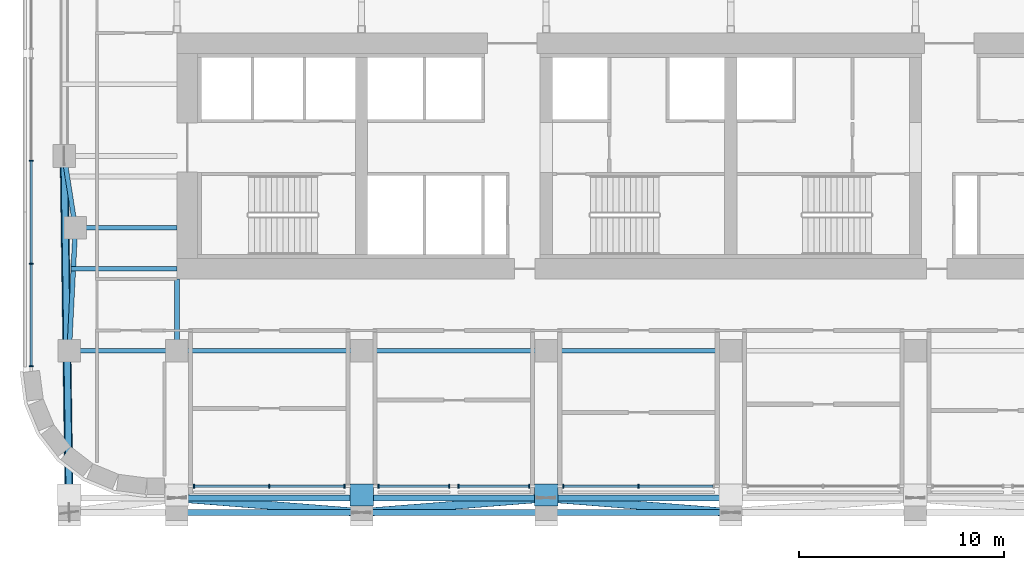
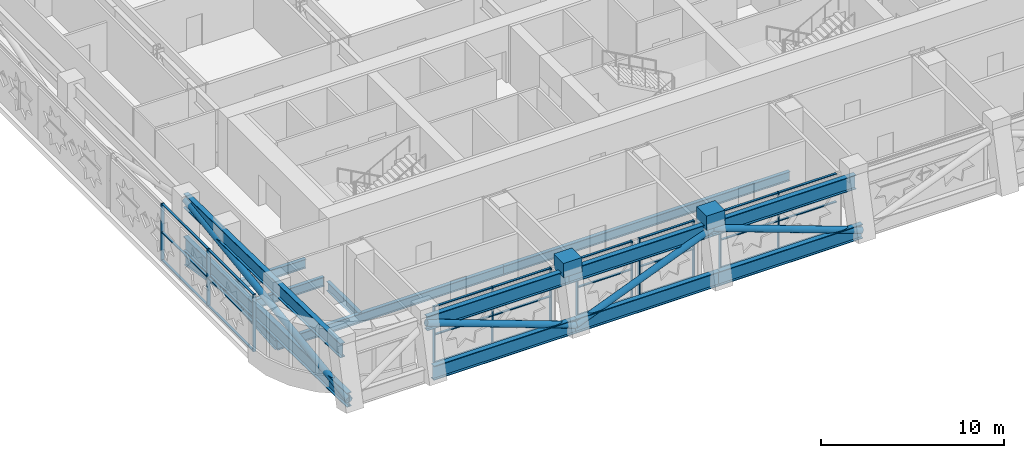
# One storey, part 2 of 27: 48 members, 9 beams, 5 elements without a shape of their own.
"""IFC4 building model written with IfcOpenShell, lengths in metres."""

from ifc_helpers import new_model, si_unit, direction, frame, origin, origin_2d, place, context, subcontext, project, spatial, rectangle, hollow_circle, i_section, extrude, material, material_profile, profile_set, type_object, element, aggregate, save


model = new_model("IFC4")

# Units and contexts
model_context = context("Model", 3, precision=1e-05, world=origin(), true_north=direction((0.0, 1.0)))
body_context = subcontext(model_context, "Body", "Model", "MODEL_VIEW")
ifc_project = project(units=[si_unit("LENGTHUNIT", "METRE"), si_unit("AREAUNIT", "SQUARE_METRE"), si_unit("VOLUMEUNIT", "CUBIC_METRE"), si_unit("PLANEANGLEUNIT", "RADIAN"), si_unit("MASSUNIT", "GRAM", prefix="KILO")], contexts=[model_context])

# Site, building, storey
site_placement = place(None, origin())
site = spatial("IfcSite", under=ifc_project, at=site_placement, CompositionType="ELEMENT")
building_placement = place(site_placement, origin())
building = spatial("IfcBuilding", under=site, at=building_placement, Name="Zellij Exchange Tower", CompositionType="ELEMENT")
storey_placement = place(building_placement, frame((0.0, 0.0, 104.5)))
storey = spatial("IfcBuildingStorey", under=building, at=storey_placement, Name="L22", CompositionType="ELEMENT", Elevation=104.5)

# Curtain wall, members
ifc_material_1 = material(Name="Aluminium frame, clear insulating glass", Category="aluminium")
curtain_wall_type = type_object("IfcCurtainWallType", Name="ENV-CW2 Outrigger-storey glazing", PredefinedType="NOTDEFINED", material=ifc_material_1)
curtain_wall_1_placement = place(storey_placement, origin())
curtain_wall_1 = element("IfcCurtainWall", 1, at=curtain_wall_1_placement, inside=storey, type_object=curtain_wall_type, Name="cw.L22.00b", PredefinedType="NOTDEFINED")
ifc_material_2 = material(Name="Aluminium", Category="aluminium")
ifc_material_profile_1 = material_profile(ifc_material_2, rectangle(XDim=0.06005859375, YDim=0.199951171875, at=origin_2d()), Name="AL 60x200")
ifc_profile_set_1 = profile_set([ifc_material_profile_1], Name="Aluminium")
member_type_1 = type_object("IfcMemberType", Name="ENV-CW2M Mullion 60x200", PredefinedType="MULLION", material=ifc_profile_set_1)
member_1_placement = place(storey_placement, frame((-26.169921875, -24.10009765625, 0.0), z_axis=(0.0, 0.0, 1.0), x_axis=(1.0, 0.0, 0.0)))
member_1 = element("IfcMember", 2, at=member_1_placement, type_object=member_type_1, Name="CW2 mullion 1", PredefinedType="MULLION", context=body_context, shape_type="SweptSolid", body=[
    extrude(rectangle(XDim=0.06005859375, YDim=0.199951171875, at=origin_2d()), origin(), (0.0, 0.0, 1.0), 3.800048828125),
])
member_2_placement = place(storey_placement, frame((-22.5, -24.10009765625, 0.0), z_axis=(0.0, 0.0, 1.0), x_axis=(1.0, 0.0, 0.0)))
member_2 = element("IfcMember", 3, at=member_2_placement, type_object=member_type_1, Name="CW2 mullion 2", PredefinedType="MULLION", context=body_context, shape_type="SweptSolid", body=[
    extrude(rectangle(XDim=0.06005859375, YDim=0.199951171875, at=origin_2d()), origin(), (0.0, 0.0, 1.0), 3.800048828125),
])
member_3_placement = place(storey_placement, frame((-18.830078125, -24.10009765625, 0.0), z_axis=(0.0, 0.0, 1.0), x_axis=(1.0, 0.0, 0.0)))
member_3 = element("IfcMember", 4, at=member_3_placement, type_object=member_type_1, Name="CW2 mullion 3", PredefinedType="MULLION", context=body_context, shape_type="SweptSolid", body=[
    extrude(rectangle(XDim=0.06005859375, YDim=0.199951171875, at=origin_2d()), origin(), (0.0, 0.0, 1.0), 3.800048828125),
])

curtain_wall_2_placement = place(storey_placement, origin())
curtain_wall_2 = element("IfcCurtainWall", 5, at=curtain_wall_2_placement, inside=storey, type_object=curtain_wall_type, Name="cw.L22.00c", PredefinedType="NOTDEFINED")
member_4_placement = place(storey_placement, frame((-17.169921875, -24.10009765625, 0.0), z_axis=(0.0, 0.0, 1.0), x_axis=(1.0, 0.0, 0.0)))
member_4 = element("IfcMember", 6, at=member_4_placement, type_object=member_type_1, Name="CW2 mullion 1", PredefinedType="MULLION", context=body_context, shape_type="SweptSolid", body=[
    extrude(rectangle(XDim=0.06005859375, YDim=0.199951171875, at=origin_2d()), origin(), (0.0, 0.0, 1.0), 3.800048828125),
])
member_5_placement = place(storey_placement, frame((-13.72998046875, -24.10009765625, 0.0), z_axis=(0.0, 0.0, 1.0), x_axis=(1.0, 0.0, 0.0)))
member_5 = element("IfcMember", 7, at=member_5_placement, type_object=member_type_1, Name="CW2 mullion 2", PredefinedType="MULLION", context=body_context, shape_type="SweptSolid", body=[
    extrude(rectangle(XDim=0.06005859375, YDim=0.199951171875, at=origin_2d()), origin(), (0.0, 0.0, 1.0), 3.800048828125),
])

curtain_wall_3_placement = place(storey_placement, origin())
curtain_wall_3 = element("IfcCurtainWall", 8, at=curtain_wall_3_placement, inside=storey, type_object=curtain_wall_type, Name="cw.L22.00d", PredefinedType="NOTDEFINED")
member_6_placement = place(storey_placement, frame((-13.27001953125, -24.10009765625, 0.0), z_axis=(0.0, 0.0, 1.0), x_axis=(1.0, 0.0, 0.0)))
member_6 = element("IfcMember", 9, at=member_6_placement, type_object=member_type_1, Name="CW2 mullion 1", PredefinedType="MULLION", context=body_context, shape_type="SweptSolid", body=[
    extrude(rectangle(XDim=0.06005859375, YDim=0.199951171875, at=origin_2d()), origin(), (0.0, 0.0, 1.0), 3.800048828125),
])
member_7_placement = place(storey_placement, frame((-9.830078125, -24.10009765625, 0.0), z_axis=(0.0, 0.0, 1.0), x_axis=(1.0, 0.0, 0.0)))
member_7 = element("IfcMember", 10, at=member_7_placement, type_object=member_type_1, Name="CW2 mullion 2", PredefinedType="MULLION", context=body_context, shape_type="SweptSolid", body=[
    extrude(rectangle(XDim=0.06005859375, YDim=0.199951171875, at=origin_2d()), origin(), (0.0, 0.0, 1.0), 3.800048828125),
])

curtain_wall_4_placement = place(storey_placement, origin())
curtain_wall_4 = element("IfcCurtainWall", 11, at=curtain_wall_4_placement, inside=storey, type_object=curtain_wall_type, Name="cw.L22.00e", PredefinedType="NOTDEFINED")
member_8_placement = place(storey_placement, frame((-8.169921875, -24.10009765625, 0.0), z_axis=(0.0, 0.0, 1.0), x_axis=(1.0, 0.0, 0.0)))
member_8 = element("IfcMember", 12, at=member_8_placement, type_object=member_type_1, Name="CW2 mullion 1", PredefinedType="MULLION", context=body_context, shape_type="SweptSolid", body=[
    extrude(rectangle(XDim=0.06005859375, YDim=0.199951171875, at=origin_2d()), origin(), (0.0, 0.0, 1.0), 3.800048828125),
])
member_9_placement = place(storey_placement, frame((-4.5, -24.10009765625, 0.0), z_axis=(0.0, 0.0, 1.0), x_axis=(1.0, 0.0, 0.0)))
member_9 = element("IfcMember", 13, at=member_9_placement, type_object=member_type_1, Name="CW2 mullion 2", PredefinedType="MULLION", context=body_context, shape_type="SweptSolid", body=[
    extrude(rectangle(XDim=0.06005859375, YDim=0.199951171875, at=origin_2d()), origin(), (0.0, 0.0, 1.0), 3.800048828125),
])

curtain_wall_5_placement = place(storey_placement, origin())
curtain_wall_5 = element("IfcCurtainWall", 14, at=curtain_wall_5_placement, inside=storey, type_object=curtain_wall_type, Name="cw.L22.21b", PredefinedType="NOTDEFINED")
member_10_placement = place(storey_placement, frame((-34.10009765625, -8.224609375, 0.0), z_axis=(0.0, 0.0, 1.0), x_axis=(0.0, -1.0, 0.0)))
member_10 = element("IfcMember", 15, at=member_10_placement, type_object=member_type_1, Name="CW2 mullion 2", PredefinedType="MULLION", context=body_context, shape_type="SweptSolid", body=[
    extrude(rectangle(XDim=0.06005859375, YDim=0.199951171875, at=origin_2d()), origin(), (0.0, 0.0, 1.0), 3.800048828125),
])
member_11_placement = place(storey_placement, frame((-34.10009765625, -13.249267578125, 0.0), z_axis=(0.0, 0.0, 1.0), x_axis=(0.0, -1.0, 0.0)))
member_11 = element("IfcMember", 16, at=member_11_placement, type_object=member_type_1, Name="CW2 mullion 3", PredefinedType="MULLION", context=body_context, shape_type="SweptSolid", body=[
    extrude(rectangle(XDim=0.06005859375, YDim=0.199951171875, at=origin_2d()), origin(), (0.0, 0.0, 1.0), 3.800048828125),
])
member_12_placement = place(storey_placement, frame((-34.10009765625, -18.243896484375, 0.0), z_axis=(0.0, 0.0, 1.0), x_axis=(0.0, -1.0, 0.0)))
member_12 = element("IfcMember", 17, at=member_12_placement, type_object=member_type_1, Name="CW2 mullion 4", PredefinedType="MULLION", context=body_context, shape_type="SweptSolid", body=[
    extrude(rectangle(XDim=0.06005859375, YDim=0.199951171875, at=origin_2d()), origin(), (0.0, 0.0, 1.0), 3.800048828125),
])

# Member
ifc_material_profile_2 = material_profile(ifc_material_2, rectangle(XDim=0.139892578125, YDim=0.06005859375, at=origin_2d()), Name="AL 140x60")
ifc_profile_set_2 = profile_set([ifc_material_profile_2], Name="Aluminium")
member_type_2 = type_object("IfcMemberType", Name="ENV-CW2T Transom 140x60", PredefinedType="USERDEFINED", material=ifc_profile_set_2)
member_13_placement = place(storey_placement, frame((-26.139892578125, -24.10009765625, 0.030029296875), z_axis=(1.0, 0.0, 0.0), x_axis=(0.0, 1.0, 0.0)))
member_13 = element("IfcMember", 18, at=member_13_placement, type_object=member_type_2, Name="CW2 transom 1.1", ObjectType="TRANSOM", PredefinedType="USERDEFINED", context=body_context, shape_type="SweptSolid", body=[
    extrude(rectangle(XDim=0.139892578125, YDim=0.06005859375, at=origin_2d()), origin(), (0.0, 0.0, 1.0), 3.60986328125),
])

member_14_placement = place(storey_placement, frame((-26.139892578125, -24.10009765625, 1.89990234375), z_axis=(1.0, 0.0, 0.0), x_axis=(0.0, 1.0, 0.0)))
member_14 = element("IfcMember", 19, at=member_14_placement, type_object=member_type_2, Name="CW2 transom 1.2", ObjectType="TRANSOM", PredefinedType="USERDEFINED", context=body_context, shape_type="SweptSolid", body=[
    extrude(rectangle(XDim=0.139892578125, YDim=0.06005859375, at=origin_2d()), origin(), (0.0, 0.0, 1.0), 3.60986328125),
])

member_15_placement = place(storey_placement, frame((-26.139892578125, -24.10009765625, 3.77001953125), z_axis=(1.0, 0.0, 0.0), x_axis=(0.0, 1.0, 0.0)))
member_15 = element("IfcMember", 20, at=member_15_placement, type_object=member_type_2, Name="CW2 transom 1.3", ObjectType="TRANSOM", PredefinedType="USERDEFINED", context=body_context, shape_type="SweptSolid", body=[
    extrude(rectangle(XDim=0.139892578125, YDim=0.06005859375, at=origin_2d()), origin(), (0.0, 0.0, 1.0), 3.60986328125),
])

member_16_placement = place(storey_placement, frame((-22.469970703125, -24.10009765625, 0.030029296875), z_axis=(1.0, 0.0, 0.0), x_axis=(0.0, 1.0, 0.0)))
member_16 = element("IfcMember", 21, at=member_16_placement, type_object=member_type_2, Name="CW2 transom 2.1", ObjectType="TRANSOM", PredefinedType="USERDEFINED", context=body_context, shape_type="SweptSolid", body=[
    extrude(rectangle(XDim=0.139892578125, YDim=0.06005859375, at=origin_2d()), origin(), (0.0, 0.0, 1.0), 3.60986328125),
])

member_17_placement = place(storey_placement, frame((-22.469970703125, -24.10009765625, 1.89990234375), z_axis=(1.0, 0.0, 0.0), x_axis=(0.0, 1.0, 0.0)))
member_17 = element("IfcMember", 22, at=member_17_placement, type_object=member_type_2, Name="CW2 transom 2.2", ObjectType="TRANSOM", PredefinedType="USERDEFINED", context=body_context, shape_type="SweptSolid", body=[
    extrude(rectangle(XDim=0.139892578125, YDim=0.06005859375, at=origin_2d()), origin(), (0.0, 0.0, 1.0), 3.60986328125),
])

member_18_placement = place(storey_placement, frame((-22.469970703125, -24.10009765625, 3.77001953125), z_axis=(1.0, 0.0, 0.0), x_axis=(0.0, 1.0, 0.0)))
member_18 = element("IfcMember", 23, at=member_18_placement, type_object=member_type_2, Name="CW2 transom 2.3", ObjectType="TRANSOM", PredefinedType="USERDEFINED", context=body_context, shape_type="SweptSolid", body=[
    extrude(rectangle(XDim=0.139892578125, YDim=0.06005859375, at=origin_2d()), origin(), (0.0, 0.0, 1.0), 3.60986328125),
])

aggregate(curtain_wall_1, [member_1, member_2, member_3, member_13, member_14, member_15, member_16, member_17, member_18])

member_19_placement = place(storey_placement, frame((-17.139892578125, -24.10009765625, 0.030029296875), z_axis=(1.0, 0.0, 0.0), x_axis=(0.0, 1.0, 0.0)))
member_19 = element("IfcMember", 24, at=member_19_placement, type_object=member_type_2, Name="CW2 transom 1.1", ObjectType="TRANSOM", PredefinedType="USERDEFINED", context=body_context, shape_type="SweptSolid", body=[
    extrude(rectangle(XDim=0.139892578125, YDim=0.06005859375, at=origin_2d()), origin(), (0.0, 0.0, 1.0), 3.3798828125),
])

member_20_placement = place(storey_placement, frame((-17.139892578125, -24.10009765625, 1.89990234375), z_axis=(1.0, 0.0, 0.0), x_axis=(0.0, 1.0, 0.0)))
member_20 = element("IfcMember", 25, at=member_20_placement, type_object=member_type_2, Name="CW2 transom 1.2", ObjectType="TRANSOM", PredefinedType="USERDEFINED", context=body_context, shape_type="SweptSolid", body=[
    extrude(rectangle(XDim=0.139892578125, YDim=0.06005859375, at=origin_2d()), origin(), (0.0, 0.0, 1.0), 3.3798828125),
])

member_21_placement = place(storey_placement, frame((-17.139892578125, -24.10009765625, 3.77001953125), z_axis=(1.0, 0.0, 0.0), x_axis=(0.0, 1.0, 0.0)))
member_21 = element("IfcMember", 26, at=member_21_placement, type_object=member_type_2, Name="CW2 transom 1.3", ObjectType="TRANSOM", PredefinedType="USERDEFINED", context=body_context, shape_type="SweptSolid", body=[
    extrude(rectangle(XDim=0.139892578125, YDim=0.06005859375, at=origin_2d()), origin(), (0.0, 0.0, 1.0), 3.3798828125),
])

aggregate(curtain_wall_2, [member_4, member_5, member_19, member_20, member_21])

member_22_placement = place(storey_placement, frame((-13.239990234375, -24.10009765625, 0.030029296875), z_axis=(1.0, 0.0, 0.0), x_axis=(0.0, 1.0, 0.0)))
member_22 = element("IfcMember", 27, at=member_22_placement, type_object=member_type_2, Name="CW2 transom 1.1", ObjectType="TRANSOM", PredefinedType="USERDEFINED", context=body_context, shape_type="SweptSolid", body=[
    extrude(rectangle(XDim=0.139892578125, YDim=0.06005859375, at=origin_2d()), origin(), (0.0, 0.0, 1.0), 3.3798828125),
])

member_23_placement = place(storey_placement, frame((-13.239990234375, -24.10009765625, 1.89990234375), z_axis=(1.0, 0.0, 0.0), x_axis=(0.0, 1.0, 0.0)))
member_23 = element("IfcMember", 28, at=member_23_placement, type_object=member_type_2, Name="CW2 transom 1.2", ObjectType="TRANSOM", PredefinedType="USERDEFINED", context=body_context, shape_type="SweptSolid", body=[
    extrude(rectangle(XDim=0.139892578125, YDim=0.06005859375, at=origin_2d()), origin(), (0.0, 0.0, 1.0), 3.3798828125),
])

member_24_placement = place(storey_placement, frame((-13.239990234375, -24.10009765625, 3.77001953125), z_axis=(1.0, 0.0, 0.0), x_axis=(0.0, 1.0, 0.0)))
member_24 = element("IfcMember", 29, at=member_24_placement, type_object=member_type_2, Name="CW2 transom 1.3", ObjectType="TRANSOM", PredefinedType="USERDEFINED", context=body_context, shape_type="SweptSolid", body=[
    extrude(rectangle(XDim=0.139892578125, YDim=0.06005859375, at=origin_2d()), origin(), (0.0, 0.0, 1.0), 3.3798828125),
])

aggregate(curtain_wall_3, [member_6, member_7, member_22, member_23, member_24])

member_25_placement = place(storey_placement, frame((-8.139892578125, -24.10009765625, 0.030029296875), z_axis=(1.0, 0.0, 0.0), x_axis=(0.0, 1.0, 0.0)))
member_25 = element("IfcMember", 30, at=member_25_placement, type_object=member_type_2, Name="CW2 transom 1.1", ObjectType="TRANSOM", PredefinedType="USERDEFINED", context=body_context, shape_type="SweptSolid", body=[
    extrude(rectangle(XDim=0.139892578125, YDim=0.06005859375, at=origin_2d()), origin(), (0.0, 0.0, 1.0), 3.60986328125),
])

member_26_placement = place(storey_placement, frame((-8.139892578125, -24.10009765625, 1.89990234375), z_axis=(1.0, 0.0, 0.0), x_axis=(0.0, 1.0, 0.0)))
member_26 = element("IfcMember", 31, at=member_26_placement, type_object=member_type_2, Name="CW2 transom 1.2", ObjectType="TRANSOM", PredefinedType="USERDEFINED", context=body_context, shape_type="SweptSolid", body=[
    extrude(rectangle(XDim=0.139892578125, YDim=0.06005859375, at=origin_2d()), origin(), (0.0, 0.0, 1.0), 3.60986328125),
])

member_27_placement = place(storey_placement, frame((-8.139892578125, -24.10009765625, 3.77001953125), z_axis=(1.0, 0.0, 0.0), x_axis=(0.0, 1.0, 0.0)))
member_27 = element("IfcMember", 32, at=member_27_placement, type_object=member_type_2, Name="CW2 transom 1.3", ObjectType="TRANSOM", PredefinedType="USERDEFINED", context=body_context, shape_type="SweptSolid", body=[
    extrude(rectangle(XDim=0.139892578125, YDim=0.06005859375, at=origin_2d()), origin(), (0.0, 0.0, 1.0), 3.60986328125),
])

member_28_placement = place(storey_placement, frame((-4.469970703125, -24.10009765625, 0.030029296875), z_axis=(1.0, 0.0, 0.0), x_axis=(0.0, 1.0, 0.0)))
member_28 = element("IfcMember", 33, at=member_28_placement, type_object=member_type_2, Name="CW2 transom 2.1", ObjectType="TRANSOM", PredefinedType="USERDEFINED", context=body_context, shape_type="SweptSolid", body=[
    extrude(rectangle(XDim=0.139892578125, YDim=0.06005859375, at=origin_2d()), origin(), (0.0, 0.0, 1.0), 3.60986328125),
])

member_29_placement = place(storey_placement, frame((-4.469970703125, -24.10009765625, 1.89990234375), z_axis=(1.0, 0.0, 0.0), x_axis=(0.0, 1.0, 0.0)))
member_29 = element("IfcMember", 34, at=member_29_placement, type_object=member_type_2, Name="CW2 transom 2.2", ObjectType="TRANSOM", PredefinedType="USERDEFINED", context=body_context, shape_type="SweptSolid", body=[
    extrude(rectangle(XDim=0.139892578125, YDim=0.06005859375, at=origin_2d()), origin(), (0.0, 0.0, 1.0), 3.60986328125),
])

member_30_placement = place(storey_placement, frame((-4.469970703125, -24.10009765625, 3.77001953125), z_axis=(1.0, 0.0, 0.0), x_axis=(0.0, 1.0, 0.0)))
member_30 = element("IfcMember", 35, at=member_30_placement, type_object=member_type_2, Name="CW2 transom 2.3", ObjectType="TRANSOM", PredefinedType="USERDEFINED", context=body_context, shape_type="SweptSolid", body=[
    extrude(rectangle(XDim=0.139892578125, YDim=0.06005859375, at=origin_2d()), origin(), (0.0, 0.0, 1.0), 3.60986328125),
])

aggregate(curtain_wall_4, [member_8, member_9, member_25, member_26, member_27, member_28, member_29, member_30])

member_31_placement = place(storey_placement, frame((-34.10009765625, -8.254638671875, 0.030029296875), z_axis=(0.0, -1.0, 0.0), x_axis=(1.0, 0.0, 0.0)))
member_31 = element("IfcMember", 36, at=member_31_placement, type_object=member_type_2, Name="CW2 transom 2.1", ObjectType="TRANSOM", PredefinedType="USERDEFINED", context=body_context, shape_type="SweptSolid", body=[
    extrude(rectangle(XDim=0.139892578125, YDim=0.06005859375, at=origin_2d()), origin(), (0.0, 0.0, 1.0), 4.964599609375),
])

member_32_placement = place(storey_placement, frame((-34.10009765625, -8.254638671875, 1.89990234375), z_axis=(0.0, -1.0, 0.0), x_axis=(1.0, 0.0, 0.0)))
member_32 = element("IfcMember", 37, at=member_32_placement, type_object=member_type_2, Name="CW2 transom 2.2", ObjectType="TRANSOM", PredefinedType="USERDEFINED", context=body_context, shape_type="SweptSolid", body=[
    extrude(rectangle(XDim=0.139892578125, YDim=0.06005859375, at=origin_2d()), origin(), (0.0, 0.0, 1.0), 4.964599609375),
])

member_33_placement = place(storey_placement, frame((-34.10009765625, -8.254638671875, 3.77001953125), z_axis=(0.0, -1.0, 0.0), x_axis=(1.0, 0.0, 0.0)))
member_33 = element("IfcMember", 38, at=member_33_placement, type_object=member_type_2, Name="CW2 transom 2.3", ObjectType="TRANSOM", PredefinedType="USERDEFINED", context=body_context, shape_type="SweptSolid", body=[
    extrude(rectangle(XDim=0.139892578125, YDim=0.06005859375, at=origin_2d()), origin(), (0.0, 0.0, 1.0), 4.964599609375),
])

member_34_placement = place(storey_placement, frame((-34.10009765625, -13.279296875, 0.030029296875), z_axis=(0.0, -1.0, 0.0), x_axis=(1.0, 0.0, 0.0)))
member_34 = element("IfcMember", 39, at=member_34_placement, type_object=member_type_2, Name="CW2 transom 3.1", ObjectType="TRANSOM", PredefinedType="USERDEFINED", context=body_context, shape_type="SweptSolid", body=[
    extrude(rectangle(XDim=0.139892578125, YDim=0.06005859375, at=origin_2d()), origin(), (0.0, 0.0, 1.0), 4.9345703125),
])

member_35_placement = place(storey_placement, frame((-34.10009765625, -13.279296875, 1.89990234375), z_axis=(0.0, -1.0, 0.0), x_axis=(1.0, 0.0, 0.0)))
member_35 = element("IfcMember", 40, at=member_35_placement, type_object=member_type_2, Name="CW2 transom 3.2", ObjectType="TRANSOM", PredefinedType="USERDEFINED", context=body_context, shape_type="SweptSolid", body=[
    extrude(rectangle(XDim=0.139892578125, YDim=0.06005859375, at=origin_2d()), origin(), (0.0, 0.0, 1.0), 4.9345703125),
])

member_36_placement = place(storey_placement, frame((-34.10009765625, -13.279296875, 3.77001953125), z_axis=(0.0, -1.0, 0.0), x_axis=(1.0, 0.0, 0.0)))
member_36 = element("IfcMember", 41, at=member_36_placement, type_object=member_type_2, Name="CW2 transom 3.3", ObjectType="TRANSOM", PredefinedType="USERDEFINED", context=body_context, shape_type="SweptSolid", body=[
    extrude(rectangle(XDim=0.139892578125, YDim=0.06005859375, at=origin_2d()), origin(), (0.0, 0.0, 1.0), 4.9345703125),
])

aggregate(curtain_wall_5, [member_10, member_11, member_12, member_31, member_32, member_33, member_34, member_35, member_36])

# Beam
ifc_material_3 = material(Name="Structural steel ASTM A992 Gr 50", Category="steel")
ifc_material_profile_3 = material_profile(ifc_material_3, i_section(OverallWidth=0.227783203125, OverallDepth=0.60205078125, WebThickness=0.010498046875, FlangeThickness=0.014892578125, at=origin_2d()), Name="W24x68")
ifc_profile_set_3 = profile_set([ifc_material_profile_3], Name="Structural steel ASTM A992 Gr 50")
beam_type_1 = type_object("IfcBeamType", Name="STR-BEAM W24x68", PredefinedType="BEAM", material=ifc_profile_set_3)
beam_1_placement = place(storey_placement, frame((-32.164794921875, -13.5, -0.65087890625), z_axis=(1.0, 0.0, 0.0), x_axis=(0.0, 1.0, 0.0)))
element("IfcBeam", 42, at=beam_1_placement, inside=storey, type_object=beam_type_1, Name="B5", PredefinedType="BEAM", context=body_context, shape_type="SweptSolid", body=[
    extrude(i_section(OverallWidth=0.227783203125, OverallDepth=0.60205078125, WebThickness=0.010498046875, FlangeThickness=0.014892578125, at=origin_2d()), origin(), (0.0, 0.0, 1.0), 5.164794921875),
])

# Members
ifc_material_profile_4 = material_profile(ifc_material_3, i_section(OverallWidth=0.307373046875, OverallDepth=0.9423828125, WebThickness=0.022216796875, FlangeThickness=0.039794921875, at=origin_2d()), Name="W36x232")
ifc_profile_set_4 = profile_set([ifc_material_profile_4], Name="Structural steel ASTM A992 Gr 50")
member_type_3 = type_object("IfcMemberType", Name="STR-BELT TRUSS CHORD W36x232", PredefinedType="CHORD", material=ifc_profile_set_4)
member_37_placement = place(storey_placement, frame((-32.25, -25.382080078125, 0.47119140625), z_axis=(-0.014381141117, 0.999896586043, 0.0), x_axis=(-0.999896586043, -0.014381141117, 0.0)))
element("IfcMember", 43, at=member_37_placement, inside=storey, type_object=member_type_3, Name="BT1", PredefinedType="CHORD", context=body_context, shape_type="SweptSolid", body=[
    extrude(i_section(OverallWidth=0.307373046875, OverallDepth=0.9423828125, WebThickness=0.022216796875, FlangeThickness=0.039794921875, at=origin_2d()), origin(), (0.0, 0.0, 1.0), 17.3837890625),
])
member_38_placement = place(storey_placement, frame((-32.25, -24.667724609375, 3.328857421875), z_axis=(-0.014997361018, 0.999887533257, 0.0), x_axis=(-0.999887533257, -0.014997361018, 0.0)))
element("IfcMember", 44, at=member_38_placement, inside=storey, type_object=member_type_3, Name="BT1", PredefinedType="CHORD", context=body_context, shape_type="SweptSolid", body=[
    extrude(i_section(OverallWidth=0.307373046875, OverallDepth=0.9423828125, WebThickness=0.022216796875, FlangeThickness=0.039794921875, at=origin_2d()), origin(), (0.0, 0.0, 1.0), 16.669677734375),
])
for number, where, z_axis, x_axis, name in (
    (45, (-27.0, -25.382080078125, 0.47119140625), (1.0, 0.0, 0.0), (0.0, 1.0, 0.0), "BT1"),
    (46, (-27.0, -24.667724609375, 3.328857421875), (1.0, 0.0, 0.0), (0.0, 1.0, 0.0), "BT1"),
    (47, (-18.0, -25.382080078125, 0.47119140625), (1.0, 0.0, 0.0), (0.0, 1.0, 0.0), "BT1"),
    (48, (-18.0, -24.667724609375, 3.328857421875), (1.0, 0.0, 0.0), (0.0, 1.0, 0.0), "BT1"),
    (49, (-9.0, -25.382080078125, 0.47119140625), (1.0, 0.0, 0.0), (0.0, 1.0, 0.0), "BT1"),
    (50, (-9.0, -24.667724609375, 3.328857421875), (1.0, 0.0, 0.0), (0.0, 1.0, 0.0), "BT1"),
):
    element("IfcMember", number, at=place(storey_placement, frame(where, z_axis=z_axis, x_axis=x_axis)), inside=storey, type_object=member_type_3, Name=name, PredefinedType="CHORD", context=body_context, shape_type="SweptSolid", body=[
        extrude(i_section(OverallWidth=0.307373046875, OverallDepth=0.9423828125, WebThickness=0.022216796875, FlangeThickness=0.039794921875, at=origin_2d()), origin(), (0.0, 0.0, 1.0), 9.0),
    ])
ifc_material_4 = material(Name="Structural steel ASTM A500 Gr C", Category="steel")
ifc_material_profile_5 = material_profile(ifc_material_4, hollow_circle(Radius=0.203125, WallThickness=0.01171875, at=origin_2d()), Name="STR-BELT TRUSS DIAGONAL HSS16.000x0.500")
ifc_profile_set_5 = profile_set([ifc_material_profile_5], Name="Structural steel ASTM A500 Gr C")
member_type_4 = type_object("IfcMemberType", Name="STR-BELT TRUSS DIAGONAL HSS16.000x0.500", PredefinedType="BRACE", material=ifc_profile_set_5)
member_39_placement = place(storey_placement, frame((-32.25, -25.382080078125, 0.47119140625), z_axis=(-0.014190683532, 0.986654390095, 0.162208936276), x_axis=(-0.999896586043, -0.014381141117, 0.0)))
element("IfcMember", 51, at=member_39_placement, inside=storey, type_object=member_type_4, Name="BT2", PredefinedType="BRACE", context=body_context, shape_type="SweptSolid", body=[
    extrude(hollow_circle(Radius=0.203125, WallThickness=0.01171875, at=origin_2d()), origin(), (0.0, 0.0, 1.0), 17.6171875),
])
for number, where, z_axis, x_axis, name in (
    (52, (-27.0, -24.667724609375, 3.328857421875), (0.950392591406, -0.075435349459, -0.301767178885), (0.079123978831, 0.996864783195, 0.0), "BT2"),
    (53, (-18.0, -25.382080078125, 0.47119140625), (0.950392591406, 0.075435349459, 0.301767178885), (-0.079123978831, 0.996864783195, 0.0), "BT2"),
    (54, (-9.0, -24.667724609375, 3.328857421875), (0.950392591406, -0.075435349459, -0.301767178885), (0.079123978831, 0.996864783195, 0.0), "BT2"),
):
    element("IfcMember", number, at=place(storey_placement, frame(where, z_axis=z_axis, x_axis=x_axis)), inside=storey, type_object=member_type_4, Name=name, PredefinedType="BRACE", context=body_context, shape_type="SweptSolid", body=[
        extrude(hollow_circle(Radius=0.203125, WallThickness=0.01171875, at=origin_2d()), origin(), (0.0, 0.0, 1.0), 9.4697265625),
    ])

# Beams
ifc_material_profile_6 = material_profile(ifc_material_3, i_section(OverallWidth=0.22900390625, OverallDepth=0.612060546875, WebThickness=0.011962890625, FlangeThickness=0.01953125, at=origin_2d()), Name="W24x84")
ifc_profile_set_6 = profile_set([ifc_material_profile_6], Name="Structural steel ASTM A992 Gr 50")
beam_type_2 = type_object("IfcBeamType", Name="STR-EDGE GIRDER W24x84", PredefinedType="BEAM", material=ifc_profile_set_6)
beam_2_placement = place(storey_placement, frame((-32.25, -17.5, -0.656005859375), z_axis=(0.049945724537, 0.998751933465, 0.0), x_axis=(-0.998751933465, 0.049945724537, 0.0)))
element("IfcBeam", 55, at=beam_2_placement, inside=storey, type_object=beam_type_2, Name="EB6", PredefinedType="BEAM", context=body_context, shape_type="SweptSolid", body=[
    extrude(i_section(OverallWidth=0.22900390625, OverallDepth=0.612060546875, WebThickness=0.011962890625, FlangeThickness=0.01953125, at=origin_2d()), origin(), (0.0, 0.0, 1.0), 6.007568359375),
])
beam_3_placement = place(storey_placement, frame((-31.949951171875, -11.5, -0.656005859375), z_axis=(-0.155251283593, 0.987875011802, 0.0), x_axis=(-0.987875011802, -0.155251283593, 0.0)))
element("IfcBeam", 56, at=beam_3_placement, inside=storey, type_object=beam_type_2, Name="EB6", PredefinedType="BEAM", context=body_context, shape_type="SweptSolid", body=[
    extrude(i_section(OverallWidth=0.22900390625, OverallDepth=0.612060546875, WebThickness=0.011962890625, FlangeThickness=0.01953125, at=origin_2d()), origin(), (0.0, 0.0, 1.0), 3.54296875),
])
ifc_material_profile_7 = material_profile(ifc_material_3, i_section(OverallWidth=0.22900390625, OverallDepth=0.612060546875, WebThickness=0.011962890625, FlangeThickness=0.01953125, at=origin_2d()), Name="W24x84")
ifc_profile_set_7 = profile_set([ifc_material_profile_7], Name="Structural steel ASTM A992 Gr 50")
beam_type_3 = type_object("IfcBeamType", Name="STR-GIRDER W24x84", PredefinedType="BEAM", material=ifc_profile_set_7)
beam_4_placement = place(storey_placement, frame((-32.25, -17.5, -0.656005859375), z_axis=(1.0, 0.0, 0.0), x_axis=(0.0, 1.0, 0.0)))
element("IfcBeam", 57, at=beam_4_placement, inside=storey, type_object=beam_type_3, Name="G4", PredefinedType="BEAM", context=body_context, shape_type="SweptSolid", body=[
    extrude(i_section(OverallWidth=0.22900390625, OverallDepth=0.612060546875, WebThickness=0.011962890625, FlangeThickness=0.01953125, at=origin_2d()), origin(), (0.0, 0.0, 1.0), 14.25),
])
beam_5_placement = place(storey_placement, frame((-18.0, -17.5, -0.656005859375), z_axis=(1.0, 0.0, 0.0), x_axis=(0.0, 1.0, 0.0)))
element("IfcBeam", 58, at=beam_5_placement, inside=storey, type_object=beam_type_3, Name="G4", PredefinedType="BEAM", context=body_context, shape_type="SweptSolid", body=[
    extrude(i_section(OverallWidth=0.22900390625, OverallDepth=0.612060546875, WebThickness=0.011962890625, FlangeThickness=0.01953125, at=origin_2d()), origin(), (0.0, 0.0, 1.0), 18.0),
])
beam_6_placement = place(storey_placement, frame((-31.949951171875, -11.5, -0.656005859375), z_axis=(1.0, 0.0, 0.0), x_axis=(0.0, 1.0, 0.0)))
element("IfcBeam", 59, at=beam_6_placement, inside=storey, type_object=beam_type_3, Name="G4", PredefinedType="BEAM", context=body_context, shape_type="SweptSolid", body=[
    extrude(i_section(OverallWidth=0.22900390625, OverallDepth=0.612060546875, WebThickness=0.011962890625, FlangeThickness=0.01953125, at=origin_2d()), origin(), (0.0, 0.0, 1.0), 4.949951171875),
])
beam_7_placement = place(storey_placement, frame((-27.0, -17.5, -0.656005859375), z_axis=(0.0, 1.0, 0.0), x_axis=(-1.0, 0.0, 0.0)))
element("IfcBeam", 60, at=beam_7_placement, inside=storey, type_object=beam_type_3, Name="G4", PredefinedType="BEAM", context=body_context, shape_type="SweptSolid", body=[
    extrude(i_section(OverallWidth=0.22900390625, OverallDepth=0.612060546875, WebThickness=0.011962890625, FlangeThickness=0.01953125, at=origin_2d()), origin(), (0.0, 0.0, 1.0), 3.5),
])
ifc_material_5 = material(Name="Concrete C70/85", Category="concrete")
ifc_material_profile_8 = material_profile(ifc_material_5, rectangle(XDim=1.14990234375, YDim=0.949951171875, at=origin_2d()), Name="STR-KNUCKLE BLOCK RC1150x950 C70/85")
ifc_profile_set_8 = profile_set([ifc_material_profile_8], Name="Concrete C70/85")
beam_type_4 = type_object("IfcBeamType", Name="STR-KNUCKLE BLOCK RC1150x950 C70/85", PredefinedType="BEAM", material=ifc_profile_set_8)
for number, where, z_axis, x_axis, name in (
    (61, (-18.0, -25.06689453125, 4.074951171875), (0.0, 1.0, 0.0), (-1.0, 0.0, 0.0), "KB5"),
    (62, (-9.0, -25.06689453125, 4.074951171875), (0.0, 1.0, 0.0), (-1.0, 0.0, 0.0), "KB5"),
):
    element("IfcBeam", number, at=place(storey_placement, frame(where, z_axis=z_axis, x_axis=x_axis)), inside=storey, type_object=beam_type_4, Name=name, PredefinedType="BEAM", context=body_context, shape_type="SweptSolid", body=[
        extrude(rectangle(XDim=1.14990234375, YDim=0.949951171875, at=origin_2d()), origin(), (0.0, 0.0, 1.0), 1.067138671875),
    ])

save(model, "model.ifc")
